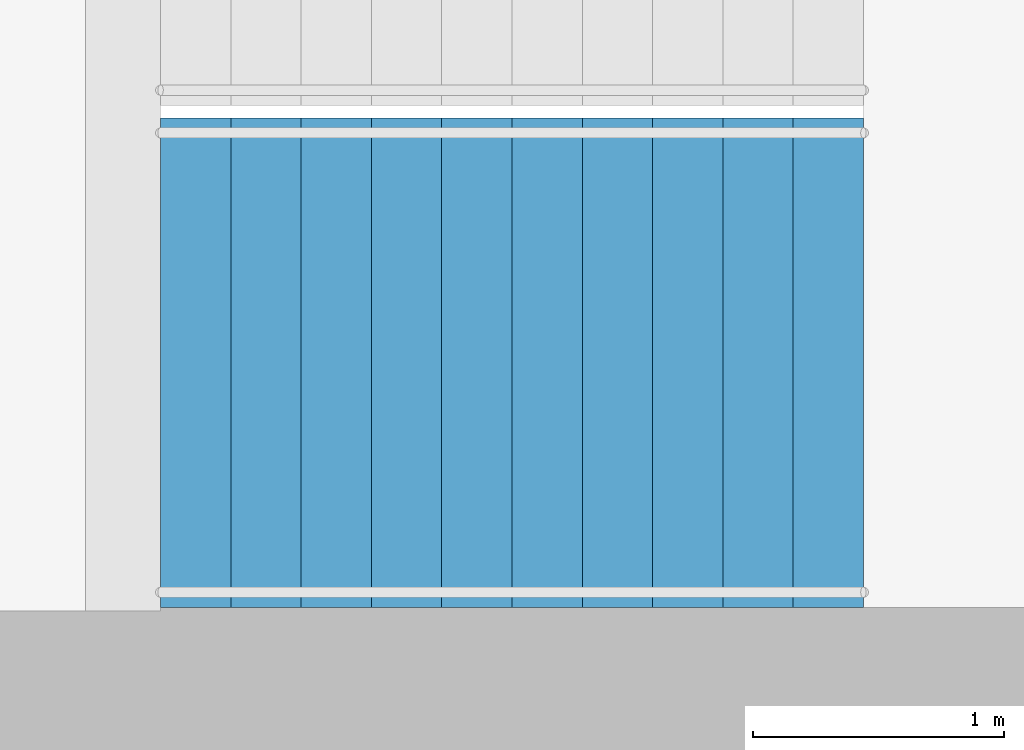
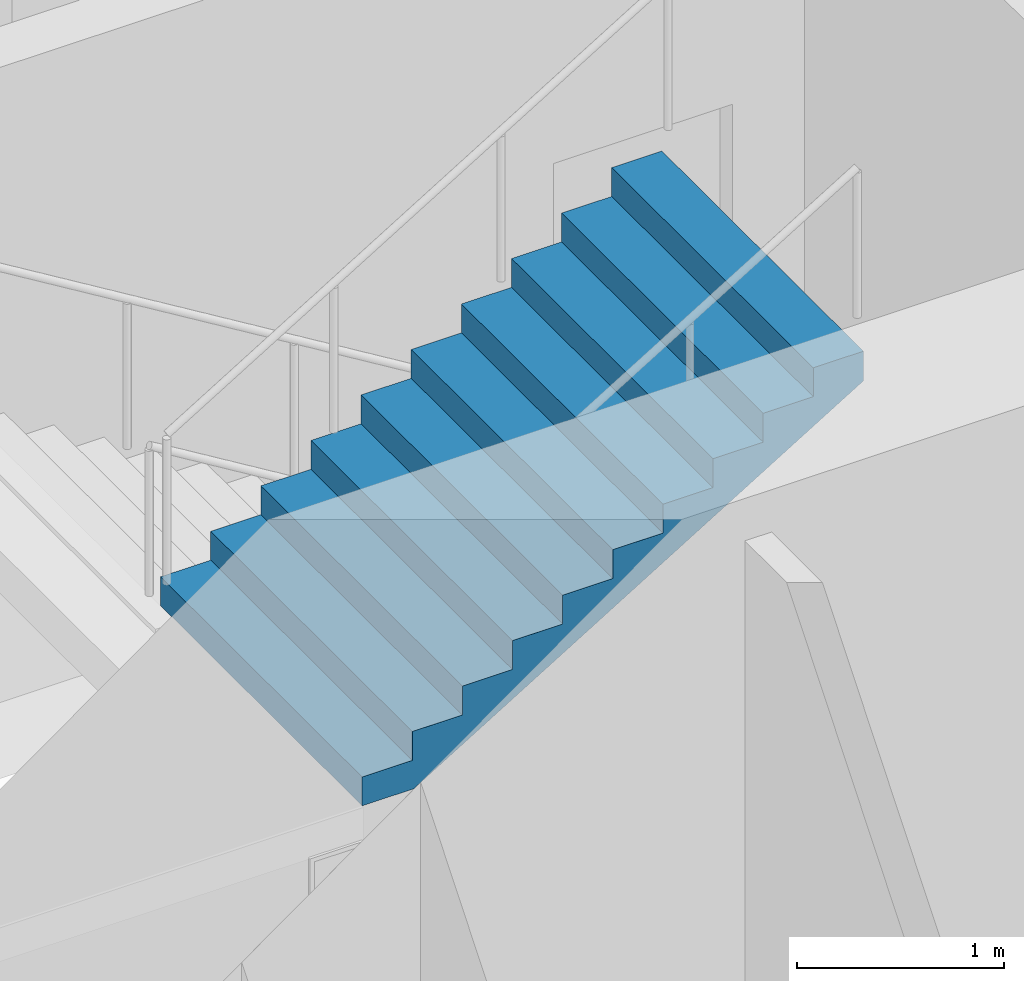
# One storey, part 24 of 28: 1 stair flight, 1 element without a shape of its own.
"""IFC4 building model written with IfcOpenShell, lengths in metres."""

import ifcopenshell
import ifcopenshell.guid

model = None  # the IFC model being written
_history = None  # IfcOwnerHistory: only IFC2X3 demands one
_inside = {}  # id of a spatial element -> (the spatial element, [elements in it])
_under = {}  # id of a project, library or spatial element -> (it, [spatial elements below it])
_declared = {}  # id of a project -> (the project, [libraries it declares])
_typed = {}  # id of a type object -> (the type object, [elements of that type])
_made_of = {}  # id of a material, layer set ... -> (it, [elements and type objects made of it])


def new_model(schema):
    """Start an empty IFC model of exactly this schema.

    Asked for "IFC4X3", IfcOpenShell would pick the latest addendum, in which some entities
    have other attributes; the version numbers below select the first issue.
    IFC2X3 requires an IfcOwnerHistory on every rooted entity: one is made here for all.
    """
    global model, _history
    if schema == "IFC4X3":
        model = ifcopenshell.file(schema_version=(4, 3, 0, 0))
    else:
        model = ifcopenshell.file(schema=schema)
    _inside.clear()
    _under.clear()
    _declared.clear()
    _typed.clear()
    _made_of.clear()
    _history = None
    if model.schema == "IFC2X3":
        org = make("IfcOrganization", Name="unknown")
        user = make(
            "IfcPersonAndOrganization",
            ThePerson=make("IfcPerson", FamilyName="unknown"),
            TheOrganization=org,
        )
        app = make(
            "IfcApplication",
            ApplicationDeveloper=org,
            Version="unknown",
            ApplicationFullName="unknown",
            ApplicationIdentifier="unknown",
        )
        _history = make(
            "IfcOwnerHistory",
            OwningUser=user,
            OwningApplication=app,
            ChangeAction="ADDED",
            CreationDate=0,
        )
    return model


def make(cls, **values):
    """One entity of the class cls with the attributes given. An attribute that is None is left unset."""
    return model.create_entity(
        cls, **{name: value for name, value in values.items() if value is not None}
    )


def rooted(cls, **values):
    """An entity with a GlobalId (a new one), such as an element, a storey or a relation."""
    return make(cls, GlobalId=ifcopenshell.guid.new(), OwnerHistory=_history, **values)


def si_unit(unit_type, name, prefix=None):
    """IfcSIUnit, for example si_unit("LENGTHUNIT", "METRE", prefix="MILLI")."""
    return make("IfcSIUnit", UnitType=unit_type, Prefix=prefix, Name=name)


def assignment(units):
    """IfcUnitAssignment: the units of a project."""
    return None if units is None else make("IfcUnitAssignment", Units=units)


def point(xyz):
    """IfcCartesianPoint."""
    return None if xyz is None else make("IfcCartesianPoint", Coordinates=xyz)


def direction(xyz):
    """IfcDirection."""
    return None if xyz is None else make("IfcDirection", DirectionRatios=xyz)


def frame(location, z_axis=None, x_axis=None):
    """IfcAxis2Placement3D, a coordinate frame: its origin and axes. An axis left out is left unset."""
    return make(
        "IfcAxis2Placement3D",
        Location=point(location),
        Axis=direction(z_axis),
        RefDirection=direction(x_axis),
    )


def origin():
    """The frame at (0, 0, 0) with its axes left unset."""
    return frame((0.0, 0.0, 0.0))


def place(relative_to, where):
    """IfcLocalPlacement: puts the frame where relative to a parent placement (None: the world)."""
    return make(
        "IfcLocalPlacement", PlacementRelTo=relative_to, RelativePlacement=where
    )


def context(
    kind, dimensions, precision=None, world=None, true_north=None, identifier=None
):
    """IfcGeometricRepresentationContext, for example the 3D "Model" context."""
    return make(
        "IfcGeometricRepresentationContext",
        ContextIdentifier=identifier,
        ContextType=kind,
        CoordinateSpaceDimension=dimensions,
        Precision=precision,
        WorldCoordinateSystem=world,
        TrueNorth=true_north,
    )


def subcontext(parent, identifier, kind, view, scale=None):
    """IfcGeometricRepresentationSubContext, for example "Body" below "Model"."""
    return make(
        "IfcGeometricRepresentationSubContext",
        ContextIdentifier=identifier,
        ContextType=kind,
        ParentContext=parent,
        TargetScale=scale,
        TargetView=view,
    )


def project(units=None, contexts=None):
    """IfcProject with its units and contexts."""
    return rooted(
        "IfcProject",
        Name="project",
        RepresentationContexts=contexts,
        UnitsInContext=assignment(units),
    )


def spatial(cls, under=None, at=None, **own):
    """A site, building, storey or space (cls), placed at a placement, below another one or the project."""
    s = rooted(cls, ObjectPlacement=at, **own)
    if under is not None:
        _under.setdefault(under.id(), (under, []))[1].append(s)
    return s


def point_list(points):
    """IfcCartesianPointList2D or 3D."""
    cls = (
        "IfcCartesianPointList2D" if len(points[0]) == 2 else "IfcCartesianPointList3D"
    )
    return make(cls, CoordList=points)


def triangles(points, corners, closed=None, point_numbers=None):
    """IfcTriangulatedFaceSet: each triangle names its three corners, points numbered from 1."""
    return make(
        "IfcTriangulatedFaceSet",
        Coordinates=point_list(points),
        Closed=closed,
        CoordIndex=corners,
        PnIndex=point_numbers,
    )


def shape(context_of_items, identifier, shape_type, items):
    """IfcShapeRepresentation: the items that make up one representation, for example the "Body"."""
    return make(
        "IfcShapeRepresentation",
        ContextOfItems=context_of_items,
        RepresentationIdentifier=identifier,
        RepresentationType=shape_type,
        Items=items,
    )


def material(Name=None, Category=None):
    """IfcMaterial."""
    return make("IfcMaterial", Name=Name, Category=Category)


def made_of(thing, what):
    """Note that an element or type object is made of a material, layer set ...; save() writes the relation."""
    if what is not None:
        _made_of.setdefault(what.id(), (what, []))[1].append(thing)
    return thing


def type_object(cls, material=None, **own):
    """A type object (cls), such as IfcWallType, which elements share."""
    return made_of(rooted(cls, **own), material)


def element(
    cls,
    number,
    at=None,
    inside=None,
    cuts=None,
    type_object=None,
    material=None,
    context=None,
    identifier="Body",
    shape_type=None,
    held_by="IfcProductDefinitionShape",
    body=None,
    shapes=None,
    **own,
):
    """One element of the class cls, such as IfcWall. Its Tag is "e" and its number.

    at: its placement. inside: the storey or other place that contains it. cuts: it is an
    opening in that element (IfcRelVoidsElement). A single representation is given by context,
    identifier, shape_type and body (its items); several are given by shapes. held_by: the class
    of the entity that holds the representations. save() writes the other relations.
    """
    e = rooted(cls, Tag="e%d" % number, ObjectPlacement=at, **own)
    if body is not None:
        shapes = [shape(context, identifier, shape_type, body)]
    if shapes is not None:
        e.Representation = make(held_by, Representations=shapes)
    if inside is not None:
        _inside.setdefault(inside.id(), (inside, []))[1].append(e)
    if cuts is not None:
        rooted(
            "IfcRelVoidsElement", RelatingBuildingElement=cuts, RelatedOpeningElement=e
        )
    if type_object is not None:
        _typed.setdefault(type_object.id(), (type_object, []))[1].append(e)
    return made_of(e, material)


def aggregate(whole, parts):
    """IfcRelAggregates: a whole, such as a stair, and the parts it consists of."""
    return rooted("IfcRelAggregates", RelatingObject=whole, RelatedObjects=parts)


def save(model, path):
    """Write the relations noted so far, then the file.

    IfcRelAggregates (storeys below a building ...), IfcRelContainedInSpatialStructure (elements
    in a storey), IfcRelDefinesByType, IfcRelAssociatesMaterial and IfcRelDeclares: one each for
    every whole, place, type object, material and project.
    """
    for whole, parts in _under.values():
        aggregate(whole, parts)
    for where, things in _inside.values():
        rooted(
            "IfcRelContainedInSpatialStructure",
            RelatedElements=things,
            RelatingStructure=where,
        )
    for kind, things in _typed.values():
        rooted("IfcRelDefinesByType", RelatedObjects=things, RelatingType=kind)
    for what, things in _made_of.values():
        rooted("IfcRelAssociatesMaterial", RelatedObjects=things, RelatingMaterial=what)
    for by, libraries in _declared.values():
        rooted("IfcRelDeclares", RelatingContext=by, RelatedDefinitions=libraries)
    model.write(path)


model = new_model("IFC4")

# Units and contexts
model_context = context("Model", 3, precision=1e-05, world=origin(), true_north=direction((0.0, 1.0)))
body_context = subcontext(model_context, "Body", "Model", "MODEL_VIEW")
ifc_project = project(units=[si_unit("LENGTHUNIT", "METRE"), si_unit("AREAUNIT", "SQUARE_METRE"), si_unit("VOLUMEUNIT", "CUBIC_METRE"), si_unit("PLANEANGLEUNIT", "RADIAN"), si_unit("MASSUNIT", "GRAM", prefix="KILO")], contexts=[model_context])

# Site, building, storey
site_placement = place(None, origin())
site = spatial("IfcSite", under=ifc_project, at=site_placement, CompositionType="ELEMENT")
building_placement = place(site_placement, origin())
building = spatial("IfcBuilding", under=site, at=building_placement, Name="Orbita Commons", CompositionType="ELEMENT")
storey_placement = place(building_placement, frame((0.0, 0.0, 38.949951171875)))
storey = spatial("IfcBuildingStorey", under=building, at=storey_placement, Name="L09", CompositionType="ELEMENT", Elevation=38.949951171875)

# Stair, stair flight
ifc_material_1 = material(Name="Precast concrete C40/50", Category="concrete")
stair_type = type_object("IfcStairType", Name="Exit stair S2 2 flights 11 risers 170", PredefinedType="HALF_TURN_STAIR", material=ifc_material_1)
stair_placement = place(storey_placement, origin())
stair = element("IfcStair", 1, at=stair_placement, inside=storey, type_object=stair_type, Name="Exit stair S2 L09", PredefinedType="HALF_TURN_STAIR")
ifc_material_2 = material(Name="Precast concrete C40/50", Category="concrete")
stair_flight_type = type_object("IfcStairFlightType", Name="Stair flight 11 risers 170 x 280", PredefinedType="STRAIGHT", material=ifc_material_2)
stair_flight_placement = place(storey_placement, frame((60.75, 27.27490234375, 1.875), z_axis=(0.0, 0.0, 1.0), x_axis=(1.0, 0.0, 0.0)))
stair_flight = element("IfcStairFlight", 2, at=stair_flight_placement, type_object=stair_flight_type, Name="S2 flight 2", NumberOfRisers=11, NumberOfTreads=10, PredefinedType="STRAIGHT", RiserHeight=0.170454545, TreadLength=0.28, context=body_context, shape_type="Tessellation", body=[
    triangles([(0.0, 0.974976, 0.0), (0.0, 0.974976, 0.021307), (0.0, 0.81248, 0.021307), (0.0, 0.81248, 0.0), (0.0, 0.649984, 0.021307), (0.0, 0.649984, 0.0), (0.0, 0.487488, 0.021307), (0.0, 0.487488, 0.0), (0.0, 0.324992, 0.021307), (0.0, 0.324992, 0.0), (0.0, 0.162496, 0.021307), (0.0, 0.162496, 0.0), (0.0, 0.0, 0.021307), (0.0, 0.0, 0.0), (0.0, -0.162496, 0.021307), (0.0, -0.162496, 0.0), (0.0, -0.324992, 0.021307), (0.0, -0.324992, 0.0), (0.0, -0.487488, 0.021307), (0.0, -0.487488, 0.0), (0.0, -0.649984, 0.021307), (0.0, -0.649984, 0.0), (0.0, -0.81248, 0.021307), (0.0, -0.81248, 0.0), (0.0, -0.974976, 0.021307), (0.0, -0.974976, 0.0), (0.0, 0.974976, 0.042614), (0.0, 0.81248, 0.042614), (0.0, 0.649984, 0.042614), (0.0, 0.487488, 0.042614), (0.0, 0.324992, 0.042614), (0.0, 0.162496, 0.042614), (0.0, 0.0, 0.042614), (0.0, -0.162496, 0.042614), (0.0, -0.324992, 0.042614), (0.0, -0.487488, 0.042614), (0.0, -0.649984, 0.042614), (0.0, -0.81248, 0.042614), (0.0, -0.974976, 0.042614), (0.0, 0.974976, 0.06392), (0.0, 0.81248, 0.06392), (0.0, 0.649984, 0.06392), (0.0, 0.487488, 0.06392), (0.0, 0.324992, 0.06392), (0.0, 0.162496, 0.06392), (0.0, 0.0, 0.06392), (0.0, -0.162496, 0.06392), (0.0, -0.324992, 0.06392), (0.0, -0.487488, 0.06392), (0.0, -0.649984, 0.06392), (0.0, -0.81248, 0.06392), (0.0, -0.974976, 0.06392), (0.0, 0.974976, 0.085227), (0.0, 0.81248, 0.085227), (0.0, 0.649984, 0.085227), (0.0, 0.487488, 0.085227), (0.0, 0.324992, 0.085227), (0.0, 0.162496, 0.085227), (0.0, 0.0, 0.085227), (0.0, -0.162496, 0.085227), (0.0, -0.324992, 0.085227), (0.0, -0.487488, 0.085227), (0.0, -0.649984, 0.085227), (0.0, -0.81248, 0.085227), (0.0, -0.974976, 0.085227), (0.0, 0.974976, 0.106534), (0.0, 0.81248, 0.106534), (0.0, 0.649984, 0.106534), (0.0, 0.487488, 0.106534), (0.0, 0.324992, 0.106534), (0.0, 0.162496, 0.106534), (0.0, 0.0, 0.106534), (0.0, -0.162496, 0.106534), (0.0, -0.324992, 0.106534), (0.0, -0.487488, 0.106534), (0.0, -0.649984, 0.106534), (0.0, -0.81248, 0.106534), (0.0, -0.974976, 0.106534), (0.0, 0.974976, 0.127841), (0.0, 0.81248, 0.127841), (0.0, 0.649984, 0.127841), (0.0, 0.487488, 0.127841), (0.0, 0.324992, 0.127841), (0.0, 0.162496, 0.127841), (0.0, 0.0, 0.127841), (0.0, -0.162496, 0.127841), (0.0, -0.324992, 0.127841), (0.0, -0.487488, 0.127841), (0.0, -0.649984, 0.127841), (0.0, -0.81248, 0.127841), (0.0, -0.974976, 0.127841), (0.0, 0.974976, 0.149148), (0.0, 0.81248, 0.149148), (0.0, 0.649984, 0.149148), (0.0, 0.487488, 0.149148), (0.0, 0.324992, 0.149148), (0.0, 0.162496, 0.149148), (0.0, 0.0, 0.149148), (0.0, -0.162496, 0.149148), (0.0, -0.324992, 0.149148), (0.0, -0.487488, 0.149148), (0.0, -0.649984, 0.149148), (0.0, -0.81248, 0.149148), (0.0, -0.974976, 0.149148), (0.0, 0.974976, 0.170455), (0.0, 0.81248, 0.170455), (0.0, 0.649984, 0.170455), (0.0, 0.487488, 0.170455), (0.0, 0.324992, 0.170455), (0.0, 0.162496, 0.170455), (0.0, 0.0, 0.170455), (0.0, -0.162496, 0.170455), (0.0, -0.324992, 0.170455), (0.0, -0.487488, 0.170455), (0.0, -0.649984, 0.170455), (0.0, -0.81248, 0.170455), (0.0, -0.974976, 0.170455), (0.28, 0.974976, 0.170455), (0.28, 0.81248, 0.170455), (0.28, 0.649984, 0.170455), (0.28, 0.487488, 0.170455), (0.28, 0.324992, 0.170455), (0.28, 0.162496, 0.170455), (0.28, 0.0, 0.170455), (0.28, -0.162496, 0.170455), (0.28, -0.324992, 0.170455), (0.28, -0.487488, 0.170455), (0.28, -0.649984, 0.170455), (0.28, -0.81248, 0.170455), (0.28, -0.974976, 0.170455), (0.28, 0.974976, 0.340909), (0.28, 0.81248, 0.340909), (0.28, 0.649984, 0.340909), (0.28, 0.487488, 0.340909), (0.28, 0.324992, 0.340909), (0.28, 0.162496, 0.340909), (0.28, 0.0, 0.340909), (0.28, -0.162496, 0.340909), (0.28, -0.324992, 0.340909), (0.28, -0.487488, 0.340909), (0.28, -0.649984, 0.340909), (0.28, -0.81248, 0.340909), (0.28, -0.974976, 0.340909), (0.56, 0.974976, 0.340909), (0.56, 0.81248, 0.340909), (0.56, 0.649984, 0.340909), (0.56, 0.487488, 0.340909), (0.56, 0.324992, 0.340909), (0.56, 0.162496, 0.340909), (0.56, 0.0, 0.340909), (0.56, -0.162496, 0.340909), (0.56, -0.324992, 0.340909), (0.56, -0.487488, 0.340909), (0.56, -0.649984, 0.340909), (0.56, -0.81248, 0.340909), (0.56, -0.974976, 0.340909), (0.56, 0.974976, 0.511364), (0.56, 0.81248, 0.511364), (0.56, 0.649984, 0.511364), (0.56, 0.487488, 0.511364), (0.56, 0.324992, 0.511364), (0.56, 0.162496, 0.511364), (0.56, 0.0, 0.511364), (0.56, -0.162496, 0.511364), (0.56, -0.324992, 0.511364), (0.56, -0.487488, 0.511364), (0.56, -0.649984, 0.511364), (0.56, -0.81248, 0.511364), (0.56, -0.974976, 0.511364), (0.84, 0.974976, 0.511364), (0.84, 0.81248, 0.511364), (0.84, 0.649984, 0.511364), (0.84, 0.487488, 0.511364), (0.84, 0.324992, 0.511364), (0.84, 0.162496, 0.511364), (0.84, 0.0, 0.511364), (0.84, -0.162496, 0.511364), (0.84, -0.324992, 0.511364), (0.84, -0.487488, 0.511364), (0.84, -0.649984, 0.511364), (0.84, -0.81248, 0.511364), (0.84, -0.974976, 0.511364), (0.84, 0.974976, 0.681818), (0.84, 0.81248, 0.681818), (0.84, 0.649984, 0.681818), (0.84, 0.487488, 0.681818), (0.84, 0.324992, 0.681818), (0.84, 0.162496, 0.681818), (0.84, 0.0, 0.681818), (0.84, -0.162496, 0.681818), (0.84, -0.324992, 0.681818), (0.84, -0.487488, 0.681818), (0.84, -0.649984, 0.681818), (0.84, -0.81248, 0.681818), (0.84, -0.974976, 0.681818), (1.12, 0.974976, 0.681818), (1.12, 0.81248, 0.681818), (1.12, 0.649984, 0.681818), (1.12, 0.487488, 0.681818), (1.12, 0.324992, 0.681818), (1.12, 0.162496, 0.681818), (1.12, 0.0, 0.681818), (1.12, -0.162496, 0.681818), (1.12, -0.324992, 0.681818), (1.12, -0.487488, 0.681818), (1.12, -0.649984, 0.681818), (1.12, -0.81248, 0.681818), (1.12, -0.974976, 0.681818), (1.12, 0.974976, 0.852273), (1.12, 0.81248, 0.852273), (1.12, 0.649984, 0.852273), (1.12, 0.487488, 0.852273), (1.12, 0.324992, 0.852273), (1.12, 0.162496, 0.852273), (1.12, 0.0, 0.852273), (1.12, -0.162496, 0.852273), (1.12, -0.324992, 0.852273), (1.12, -0.487488, 0.852273), (1.12, -0.649984, 0.852273), (1.12, -0.81248, 0.852273), (1.12, -0.974976, 0.852273), (1.4, 0.974976, 0.852273), (1.4, 0.81248, 0.852273), (1.4, 0.649984, 0.852273), (1.4, 0.487488, 0.852273), (1.4, 0.324992, 0.852273), (1.4, 0.162496, 0.852273), (1.4, 0.0, 0.852273), (1.4, -0.162496, 0.852273), (1.4, -0.324992, 0.852273), (1.4, -0.487488, 0.852273), (1.4, -0.649984, 0.852273), (1.4, -0.81248, 0.852273), (1.4, -0.974976, 0.852273), (1.4, 0.974976, 1.022727), (1.4, 0.81248, 1.022727), (1.4, 0.649984, 1.022727), (1.4, 0.487488, 1.022727), (1.4, 0.324992, 1.022727), (1.4, 0.162496, 1.022727), (1.4, 0.0, 1.022727), (1.4, -0.162496, 1.022727), (1.4, -0.324992, 1.022727), (1.4, -0.487488, 1.022727), (1.4, -0.649984, 1.022727), (1.4, -0.81248, 1.022727), (1.4, -0.974976, 1.022727), (1.68, 0.974976, 1.022727), (1.68, 0.81248, 1.022727), (1.68, 0.649984, 1.022727), (1.68, 0.487488, 1.022727), (1.68, 0.324992, 1.022727), (1.68, 0.162496, 1.022727), (1.68, 0.0, 1.022727), (1.68, -0.162496, 1.022727), (1.68, -0.324992, 1.022727), (1.68, -0.487488, 1.022727), (1.68, -0.649984, 1.022727), (1.68, -0.81248, 1.022727), (1.68, -0.974976, 1.022727), (1.68, 0.974976, 1.193182), (1.68, 0.81248, 1.193182), (1.68, 0.649984, 1.193182), (1.68, 0.487488, 1.193182), (1.68, 0.324992, 1.193182), (1.68, 0.162496, 1.193182), (1.68, 0.0, 1.193182), (1.68, -0.162496, 1.193182), (1.68, -0.324992, 1.193182), (1.68, -0.487488, 1.193182), (1.68, -0.649984, 1.193182), (1.68, -0.81248, 1.193182), (1.68, -0.974976, 1.193182), (1.96, 0.974976, 1.193182), (1.96, 0.81248, 1.193182), (1.96, 0.649984, 1.193182), (1.96, 0.487488, 1.193182), (1.96, 0.324992, 1.193182), (1.96, 0.162496, 1.193182), (1.96, 0.0, 1.193182), (1.96, -0.162496, 1.193182), (1.96, -0.324992, 1.193182), (1.96, -0.487488, 1.193182), (1.96, -0.649984, 1.193182), (1.96, -0.81248, 1.193182), (1.96, -0.974976, 1.193182), (1.96, 0.974976, 1.363636), (1.96, 0.81248, 1.363636), (1.96, 0.649984, 1.363636), (1.96, 0.487488, 1.363636), (1.96, 0.324992, 1.363636), (1.96, 0.162496, 1.363636), (1.96, 0.0, 1.363636), (1.96, -0.162496, 1.363636), (1.96, -0.324992, 1.363636), (1.96, -0.487488, 1.363636), (1.96, -0.649984, 1.363636), (1.96, -0.81248, 1.363636), (1.96, -0.974976, 1.363636), (2.24, 0.974976, 1.363636), (2.24, 0.81248, 1.363636), (2.24, 0.649984, 1.363636), (2.24, 0.487488, 1.363636), (2.24, 0.324992, 1.363636), (2.24, 0.162496, 1.363636), (2.24, 0.0, 1.363636), (2.24, -0.162496, 1.363636), (2.24, -0.324992, 1.363636), (2.24, -0.487488, 1.363636), (2.24, -0.649984, 1.363636), (2.24, -0.81248, 1.363636), (2.24, -0.974976, 1.363636), (2.24, 0.974976, 1.534091), (2.24, 0.81248, 1.534091), (2.24, 0.649984, 1.534091), (2.24, 0.487488, 1.534091), (2.24, 0.324992, 1.534091), (2.24, 0.162496, 1.534091), (2.24, 0.0, 1.534091), (2.24, -0.162496, 1.534091), (2.24, -0.324992, 1.534091), (2.24, -0.487488, 1.534091), (2.24, -0.649984, 1.534091), (2.24, -0.81248, 1.534091), (2.24, -0.974976, 1.534091), (2.52, 0.974976, 1.534091), (2.52, 0.81248, 1.534091), (2.52, 0.649984, 1.534091), (2.52, 0.487488, 1.534091), (2.52, 0.324992, 1.534091), (2.52, 0.162496, 1.534091), (2.52, 0.0, 1.534091), (2.52, -0.162496, 1.534091), (2.52, -0.324992, 1.534091), (2.52, -0.487488, 1.534091), (2.52, -0.649984, 1.534091), (2.52, -0.81248, 1.534091), (2.52, -0.974976, 1.534091), (2.52, 0.974976, 1.704545), (2.52, 0.81248, 1.704545), (2.52, 0.649984, 1.704545), (2.52, 0.487488, 1.704545), (2.52, 0.324992, 1.704545), (2.52, 0.162496, 1.704545), (2.52, 0.0, 1.704545), (2.52, -0.162496, 1.704545), (2.52, -0.324992, 1.704545), (2.52, -0.487488, 1.704545), (2.52, -0.649984, 1.704545), (2.52, -0.81248, 1.704545), (2.52, -0.974976, 1.704545), (2.8, 0.974976, 1.704545), (2.8, 0.81248, 1.704545), (2.8, 0.649984, 1.704545), (2.8, 0.487488, 1.704545), (2.8, 0.324992, 1.704545), (2.8, 0.162496, 1.704545), (2.8, 0.0, 1.704545), (2.8, -0.162496, 1.704545), (2.8, -0.324992, 1.704545), (2.8, -0.487488, 1.704545), (2.8, -0.649984, 1.704545), (2.8, -0.81248, 1.704545), (2.8, -0.974976, 1.704545), (2.8, 0.974976, 1.682609), (2.8, 0.81248, 1.682609), (2.8, 0.649984, 1.682609), (2.8, 0.487488, 1.682609), (2.8, 0.324992, 1.682609), (2.8, 0.162496, 1.682609), (2.8, 0.0, 1.682609), (2.8, -0.162496, 1.682609), (2.8, -0.324992, 1.682609), (2.8, -0.487488, 1.682609), (2.8, -0.649984, 1.682609), (2.8, -0.81248, 1.682609), (2.8, -0.974976, 1.682609), (2.8, 0.974976, 1.660672), (2.8, 0.81248, 1.660672), (2.8, 0.649984, 1.660672), (2.8, 0.487488, 1.660672), (2.8, 0.324992, 1.660672), (2.8, 0.162496, 1.660672), (2.8, 0.0, 1.660672), (2.8, -0.162496, 1.660672), (2.8, -0.324992, 1.660672), (2.8, -0.487488, 1.660672), (2.8, -0.649984, 1.660672), (2.8, -0.81248, 1.660672), (2.8, -0.974976, 1.660672), (2.8, 0.974976, 1.638735), (2.8, 0.81248, 1.638735), (2.8, 0.649984, 1.638735), (2.8, 0.487488, 1.638735), (2.8, 0.324992, 1.638735), (2.8, 0.162496, 1.638735), (2.8, 0.0, 1.638735), (2.8, -0.162496, 1.638735), (2.8, -0.324992, 1.638735), (2.8, -0.487488, 1.638735), (2.8, -0.649984, 1.638735), (2.8, -0.81248, 1.638735), (2.8, -0.974976, 1.638735), (2.8, 0.974976, 1.616798), (2.8, 0.81248, 1.616798), (2.8, 0.649984, 1.616798), (2.8, 0.487488, 1.616798), (2.8, 0.324992, 1.616798), (2.8, 0.162496, 1.616798), (2.8, 0.0, 1.616798), (2.8, -0.162496, 1.616798), (2.8, -0.324992, 1.616798), (2.8, -0.487488, 1.616798), (2.8, -0.649984, 1.616798), (2.8, -0.81248, 1.616798), (2.8, -0.974976, 1.616798), (2.8, 0.974976, 1.594861), (2.8, 0.81248, 1.594861), (2.8, 0.649984, 1.594861), (2.8, 0.487488, 1.594861), (2.8, 0.324992, 1.594861), (2.8, 0.162496, 1.594861), (2.8, 0.0, 1.594861), (2.8, -0.162496, 1.594861), (2.8, -0.324992, 1.594861), (2.8, -0.487488, 1.594861), (2.8, -0.649984, 1.594861), (2.8, -0.81248, 1.594861), (2.8, -0.974976, 1.594861), (2.8, 0.974976, 1.572925), (2.8, 0.81248, 1.572925), (2.8, 0.649984, 1.572925), (2.8, 0.487488, 1.572925), (2.8, 0.324992, 1.572925), (2.8, 0.162496, 1.572925), (2.8, 0.0, 1.572925), (2.8, -0.162496, 1.572925), (2.8, -0.324992, 1.572925), (2.8, -0.487488, 1.572925), (2.8, -0.649984, 1.572925), (2.8, -0.81248, 1.572925), (2.8, -0.974976, 1.572925), (2.8, 0.974976, 1.550988), (2.8, 0.81248, 1.550988), (2.8, 0.649984, 1.550988), (2.8, 0.487488, 1.550988), (2.8, 0.324992, 1.550988), (2.8, 0.162496, 1.550988), (2.8, 0.0, 1.550988), (2.8, -0.162496, 1.550988), (2.8, -0.324992, 1.550988), (2.8, -0.487488, 1.550988), (2.8, -0.649984, 1.550988), (2.8, -0.81248, 1.550988), (2.8, -0.974976, 1.550988), (2.8, 0.974976, 1.529051), (2.8, 0.81248, 1.529051), (2.8, 0.649984, 1.529051), (2.8, 0.487488, 1.529051), (2.8, 0.324992, 1.529051), (2.8, 0.162496, 1.529051), (2.8, 0.0, 1.529051), (2.8, -0.162496, 1.529051), (2.8, -0.324992, 1.529051), (2.8, -0.487488, 1.529051), (2.8, -0.649984, 1.529051), (2.8, -0.81248, 1.529051), (2.8, -0.974976, 1.529051), (0.288279, 0.974976, 0.0), (0.288279, 0.81248, 0.0), (0.288279, 0.649984, 0.0), (0.288279, 0.487488, 0.0), (0.288279, 0.324992, 0.0), (0.288279, 0.162496, 0.0), (0.288279, 0.0, 0.0), (0.288279, -0.162496, 0.0), (0.288279, -0.324992, 0.0), (0.288279, -0.487488, 0.0), (0.288279, -0.649984, 0.0), (0.288279, -0.81248, 0.0), (0.288279, -0.974976, 0.0)], [[3, 2, 1], [4, 3, 1], [5, 3, 4], [6, 5, 4], [7, 5, 6], [8, 7, 6], [9, 7, 8], [10, 9, 8], [11, 9, 10], [12, 11, 10], [13, 11, 12], [14, 13, 12], [15, 13, 14], [16, 15, 14], [17, 15, 16], [18, 17, 16], [19, 17, 18], [20, 19, 18], [21, 19, 20], [22, 21, 20], [23, 21, 22], [24, 23, 22], [25, 23, 24], [26, 25, 24], [28, 27, 2], [3, 28, 2], [29, 28, 3], [5, 29, 3], [30, 29, 5], [7, 30, 5], [31, 30, 7], [9, 31, 7], [32, 31, 9], [11, 32, 9], [33, 32, 11], [13, 33, 11], [34, 33, 13], [15, 34, 13], [35, 34, 15], [17, 35, 15], [36, 35, 17], [19, 36, 17], [37, 36, 19], [21, 37, 19], [38, 37, 21], [23, 38, 21], [39, 38, 23], [25, 39, 23], [41, 40, 27], [28, 41, 27], [42, 41, 28], [29, 42, 28], [43, 42, 29], [30, 43, 29], [44, 43, 30], [31, 44, 30], [45, 44, 31], [32, 45, 31], [46, 45, 32], [33, 46, 32], [47, 46, 33], [34, 47, 33], [48, 47, 34], [35, 48, 34], [49, 48, 35], [36, 49, 35], [50, 49, 36], [37, 50, 36], [51, 50, 37], [38, 51, 37], [52, 51, 38], [39, 52, 38], [54, 53, 40], [41, 54, 40], [55, 54, 41], [42, 55, 41], [56, 55, 42], [43, 56, 42], [57, 56, 43], [44, 57, 43], [58, 57, 44], [45, 58, 44], [59, 58, 45], [46, 59, 45], [60, 59, 46], [47, 60, 46], [61, 60, 47], [48, 61, 47], [62, 61, 48], [49, 62, 48], [63, 62, 49], [50, 63, 49], [64, 63, 50], [51, 64, 50], [65, 64, 51], [52, 65, 51], [67, 66, 53], [54, 67, 53], [68, 67, 54], [55, 68, 54], [69, 68, 55], [56, 69, 55], [70, 69, 56], [57, 70, 56], [71, 70, 57], [58, 71, 57], [72, 71, 58], [59, 72, 58], [73, 72, 59], [60, 73, 59], [74, 73, 60], [61, 74, 60], [75, 74, 61], [62, 75, 61], [76, 75, 62], [63, 76, 62], [77, 76, 63], [64, 77, 63], [78, 77, 64], [65, 78, 64], [80, 79, 66], [67, 80, 66], [81, 80, 67], [68, 81, 67], [82, 81, 68], [69, 82, 68], [83, 82, 69], [70, 83, 69], [84, 83, 70], [71, 84, 70], [85, 84, 71], [72, 85, 71], [86, 85, 72], [73, 86, 72], [87, 86, 73], [74, 87, 73], [88, 87, 74], [75, 88, 74], [89, 88, 75], [76, 89, 75], [90, 89, 76], [77, 90, 76], [91, 90, 77], [78, 91, 77], [93, 92, 79], [80, 93, 79], [94, 93, 80], [81, 94, 80], [95, 94, 81], [82, 95, 81], [96, 95, 82], [83, 96, 82], [97, 96, 83], [84, 97, 83], [98, 97, 84], [85, 98, 84], [99, 98, 85], [86, 99, 85], [100, 99, 86], [87, 100, 86], [101, 100, 87], [88, 101, 87], [102, 101, 88], [89, 102, 88], [103, 102, 89], [90, 103, 89], [104, 103, 90], [91, 104, 90], [106, 105, 92], [93, 106, 92], [107, 106, 93], [94, 107, 93], [108, 107, 94], [95, 108, 94], [109, 108, 95], [96, 109, 95], [110, 109, 96], [97, 110, 96], [111, 110, 97], [98, 111, 97], [112, 111, 98], [99, 112, 98], [113, 112, 99], [100, 113, 99], [114, 113, 100], [101, 114, 100], [115, 114, 101], [102, 115, 101], [116, 115, 102], [103, 116, 102], [117, 116, 103], [104, 117, 103], [119, 118, 105], [106, 119, 105], [120, 119, 106], [107, 120, 106], [121, 120, 107], [108, 121, 107], [122, 121, 108], [109, 122, 108], [123, 122, 109], [110, 123, 109], [124, 123, 110], [111, 124, 110], [125, 124, 111], [112, 125, 111], [126, 125, 112], [113, 126, 112], [127, 126, 113], [114, 127, 113], [128, 127, 114], [115, 128, 114], [129, 128, 115], [116, 129, 115], [130, 129, 116], [117, 130, 116], [132, 131, 118], [119, 132, 118], [133, 132, 119], [120, 133, 119], [134, 133, 120], [121, 134, 120], [135, 134, 121], [122, 135, 121], [136, 135, 122], [123, 136, 122], [137, 136, 123], [124, 137, 123], [138, 137, 124], [125, 138, 124], [139, 138, 125], [126, 139, 125], [140, 139, 126], [127, 140, 126], [141, 140, 127], [128, 141, 127], [142, 141, 128], [129, 142, 128], [143, 142, 129], [130, 143, 129], [145, 144, 131], [132, 145, 131], [146, 145, 132], [133, 146, 132], [147, 146, 133], [134, 147, 133], [148, 147, 134], [135, 148, 134], [149, 148, 135], [136, 149, 135], [150, 149, 136], [137, 150, 136], [151, 150, 137], [138, 151, 137], [152, 151, 138], [139, 152, 138], [153, 152, 139], [140, 153, 139], [154, 153, 140], [141, 154, 140], [155, 154, 141], [142, 155, 141], [156, 155, 142], [143, 156, 142], [158, 157, 144], [145, 158, 144], [159, 158, 145], [146, 159, 145], [160, 159, 146], [147, 160, 146], [161, 160, 147], [148, 161, 147], [162, 161, 148], [149, 162, 148], [163, 162, 149], [150, 163, 149], [164, 163, 150], [151, 164, 150], [165, 164, 151], [152, 165, 151], [166, 165, 152], [153, 166, 152], [167, 166, 153], [154, 167, 153], [168, 167, 154], [155, 168, 154], [169, 168, 155], [156, 169, 155], [171, 170, 157], [158, 171, 157], [172, 171, 158], [159, 172, 158], [173, 172, 159], [160, 173, 159], [174, 173, 160], [161, 174, 160], [175, 174, 161], [162, 175, 161], [176, 175, 162], [163, 176, 162], [177, 176, 163], [164, 177, 163], [178, 177, 164], [165, 178, 164], [179, 178, 165], [166, 179, 165], [180, 179, 166], [167, 180, 166], [181, 180, 167], [168, 181, 167], [182, 181, 168], [169, 182, 168], [184, 183, 170], [171, 184, 170], [185, 184, 171], [172, 185, 171], [186, 185, 172], [173, 186, 172], [187, 186, 173], [174, 187, 173], [188, 187, 174], [175, 188, 174], [189, 188, 175], [176, 189, 175], [190, 189, 176], [177, 190, 176], [191, 190, 177], [178, 191, 177], [192, 191, 178], [179, 192, 178], [193, 192, 179], [180, 193, 179], [194, 193, 180], [181, 194, 180], [195, 194, 181], [182, 195, 181], [197, 196, 183], [184, 197, 183], [198, 197, 184], [185, 198, 184], [199, 198, 185], [186, 199, 185], [200, 199, 186], [187, 200, 186], [201, 200, 187], [188, 201, 187], [202, 201, 188], [189, 202, 188], [203, 202, 189], [190, 203, 189], [204, 203, 190], [191, 204, 190], [205, 204, 191], [192, 205, 191], [206, 205, 192], [193, 206, 192], [207, 206, 193], [194, 207, 193], [208, 207, 194], [195, 208, 194], [210, 209, 196], [197, 210, 196], [211, 210, 197], [198, 211, 197], [212, 211, 198], [199, 212, 198], [213, 212, 199], [200, 213, 199], [214, 213, 200], [201, 214, 200], [215, 214, 201], [202, 215, 201], [216, 215, 202], [203, 216, 202], [217, 216, 203], [204, 217, 203], [218, 217, 204], [205, 218, 204], [219, 218, 205], [206, 219, 205], [220, 219, 206], [207, 220, 206], [221, 220, 207], [208, 221, 207], [223, 222, 209], [210, 223, 209], [224, 223, 210], [211, 224, 210], [225, 224, 211], [212, 225, 211], [226, 225, 212], [213, 226, 212], [227, 226, 213], [214, 227, 213], [228, 227, 214], [215, 228, 214], [229, 228, 215], [216, 229, 215], [230, 229, 216], [217, 230, 216], [231, 230, 217], [218, 231, 217], [232, 231, 218], [219, 232, 218], [233, 232, 219], [220, 233, 219], [234, 233, 220], [221, 234, 220], [236, 235, 222], [223, 236, 222], [237, 236, 223], [224, 237, 223], [238, 237, 224], [225, 238, 224], [239, 238, 225], [226, 239, 225], [240, 239, 226], [227, 240, 226], [241, 240, 227], [228, 241, 227], [242, 241, 228], [229, 242, 228], [243, 242, 229], [230, 243, 229], [244, 243, 230], [231, 244, 230], [245, 244, 231], [232, 245, 231], [246, 245, 232], [233, 246, 232], [247, 246, 233], [234, 247, 233], [249, 248, 235], [236, 249, 235], [250, 249, 236], [237, 250, 236], [251, 250, 237], [238, 251, 237], [252, 251, 238], [239, 252, 238], [253, 252, 239], [240, 253, 239], [254, 253, 240], [241, 254, 240], [255, 254, 241], [242, 255, 241], [256, 255, 242], [243, 256, 242], [257, 256, 243], [244, 257, 243], [258, 257, 244], [245, 258, 244], [259, 258, 245], [246, 259, 245], [260, 259, 246], [247, 260, 246], [262, 261, 248], [249, 262, 248], [263, 262, 249], [250, 263, 249], [264, 263, 250], [251, 264, 250], [265, 264, 251], [252, 265, 251], [266, 265, 252], [253, 266, 252], [267, 266, 253], [254, 267, 253], [268, 267, 254], [255, 268, 254], [269, 268, 255], [256, 269, 255], [270, 269, 256], [257, 270, 256], [271, 270, 257], [258, 271, 257], [272, 271, 258], [259, 272, 258], [273, 272, 259], [260, 273, 259], [275, 274, 261], [262, 275, 261], [276, 275, 262], [263, 276, 262], [277, 276, 263], [264, 277, 263], [278, 277, 264], [265, 278, 264], [279, 278, 265], [266, 279, 265], [280, 279, 266], [267, 280, 266], [281, 280, 267], [268, 281, 267], [282, 281, 268], [269, 282, 268], [283, 282, 269], [270, 283, 269], [284, 283, 270], [271, 284, 270], [285, 284, 271], [272, 285, 271], [286, 285, 272], [273, 286, 272], [288, 287, 274], [275, 288, 274], [289, 288, 275], [276, 289, 275], [290, 289, 276], [277, 290, 276], [291, 290, 277], [278, 291, 277], [292, 291, 278], [279, 292, 278], [293, 292, 279], [280, 293, 279], [294, 293, 280], [281, 294, 280], [295, 294, 281], [282, 295, 281], [296, 295, 282], [283, 296, 282], [297, 296, 283], [284, 297, 283], [298, 297, 284], [285, 298, 284], [299, 298, 285], [286, 299, 285], [301, 300, 287], [288, 301, 287], [302, 301, 288], [289, 302, 288], [303, 302, 289], [290, 303, 289], [304, 303, 290], [291, 304, 290], [305, 304, 291], [292, 305, 291], [306, 305, 292], [293, 306, 292], [307, 306, 293], [294, 307, 293], [308, 307, 294], [295, 308, 294], [309, 308, 295], [296, 309, 295], [310, 309, 296], [297, 310, 296], [311, 310, 297], [298, 311, 297], [312, 311, 298], [299, 312, 298], [314, 313, 300], [301, 314, 300], [315, 314, 301], [302, 315, 301], [316, 315, 302], [303, 316, 302], [317, 316, 303], [304, 317, 303], [318, 317, 304], [305, 318, 304], [319, 318, 305], [306, 319, 305], [320, 319, 306], [307, 320, 306], [321, 320, 307], [308, 321, 307], [322, 321, 308], [309, 322, 308], [323, 322, 309], [310, 323, 309], [324, 323, 310], [311, 324, 310], [325, 324, 311], [312, 325, 311], [327, 326, 313], [314, 327, 313], [328, 327, 314], [315, 328, 314], [329, 328, 315], [316, 329, 315], [330, 329, 316], [317, 330, 316], [331, 330, 317], [318, 331, 317], [332, 331, 318], [319, 332, 318], [333, 332, 319], [320, 333, 319], [334, 333, 320], [321, 334, 320], [335, 334, 321], [322, 335, 321], [336, 335, 322], [323, 336, 322], [337, 336, 323], [324, 337, 323], [338, 337, 324], [325, 338, 324], [340, 339, 326], [327, 340, 326], [341, 340, 327], [328, 341, 327], [342, 341, 328], [329, 342, 328], [343, 342, 329], [330, 343, 329], [344, 343, 330], [331, 344, 330], [345, 344, 331], [332, 345, 331], [346, 345, 332], [333, 346, 332], [347, 346, 333], [334, 347, 333], [348, 347, 334], [335, 348, 334], [349, 348, 335], [336, 349, 335], [350, 349, 336], [337, 350, 336], [351, 350, 337], [338, 351, 337], [353, 352, 339], [340, 353, 339], [354, 353, 340], [341, 354, 340], [355, 354, 341], [342, 355, 341], [356, 355, 342], [343, 356, 342], [357, 356, 343], [344, 357, 343], [358, 357, 344], [345, 358, 344], [359, 358, 345], [346, 359, 345], [360, 359, 346], [347, 360, 346], [361, 360, 347], [348, 361, 347], [362, 361, 348], [349, 362, 348], [363, 362, 349], [350, 363, 349], [364, 363, 350], [351, 364, 350], [366, 365, 352], [353, 366, 352], [367, 366, 353], [354, 367, 353], [368, 367, 354], [355, 368, 354], [369, 368, 355], [356, 369, 355], [370, 369, 356], [357, 370, 356], [371, 370, 357], [358, 371, 357], [372, 371, 358], [359, 372, 358], [373, 372, 359], [360, 373, 359], [374, 373, 360], [361, 374, 360], [375, 374, 361], [362, 375, 361], [376, 375, 362], [363, 376, 362], [377, 376, 363], [364, 377, 363], [379, 378, 365], [366, 379, 365], [380, 379, 366], [367, 380, 366], [381, 380, 367], [368, 381, 367], [382, 381, 368], [369, 382, 368], [383, 382, 369], [370, 383, 369], [384, 383, 370], [371, 384, 370], [385, 384, 371], [372, 385, 371], [386, 385, 372], [373, 386, 372], [387, 386, 373], [374, 387, 373], [388, 387, 374], [375, 388, 374], [389, 388, 375], [376, 389, 375], [390, 389, 376], [377, 390, 376], [392, 391, 378], [379, 392, 378], [393, 392, 379], [380, 393, 379], [394, 393, 380], [381, 394, 380], [395, 394, 381], [382, 395, 381], [396, 395, 382], [383, 396, 382], [397, 396, 383], [384, 397, 383], [398, 397, 384], [385, 398, 384], [399, 398, 385], [386, 399, 385], [400, 399, 386], [387, 400, 386], [401, 400, 387], [388, 401, 387], [402, 401, 388], [389, 402, 388], [403, 402, 389], [390, 403, 389], [405, 404, 391], [392, 405, 391], [406, 405, 392], [393, 406, 392], [407, 406, 393], [394, 407, 393], [408, 407, 394], [395, 408, 394], [409, 408, 395], [396, 409, 395], [410, 409, 396], [397, 410, 396], [411, 410, 397], [398, 411, 397], [412, 411, 398], [399, 412, 398], [413, 412, 399], [400, 413, 399], [414, 413, 400], [401, 414, 400], [415, 414, 401], [402, 415, 401], [416, 415, 402], [403, 416, 402], [418, 417, 404], [405, 418, 404], [419, 418, 405], [406, 419, 405], [420, 419, 406], [407, 420, 406], [421, 420, 407], [408, 421, 407], [422, 421, 408], [409, 422, 408], [423, 422, 409], [410, 423, 409], [424, 423, 410], [411, 424, 410], [425, 424, 411], [412, 425, 411], [426, 425, 412], [413, 426, 412], [427, 426, 413], [414, 427, 413], [428, 427, 414], [415, 428, 414], [429, 428, 415], [416, 429, 415], [431, 430, 417], [418, 431, 417], [432, 431, 418], [419, 432, 418], [433, 432, 419], [420, 433, 419], [434, 433, 420], [421, 434, 420], [435, 434, 421], [422, 435, 421], [436, 435, 422], [423, 436, 422], [437, 436, 423], [424, 437, 423], [438, 437, 424], [425, 438, 424], [439, 438, 425], [426, 439, 425], [440, 439, 426], [427, 440, 426], [441, 440, 427], [428, 441, 427], [442, 441, 428], [429, 442, 428], [444, 443, 430], [431, 444, 430], [445, 444, 431], [432, 445, 431], [446, 445, 432], [433, 446, 432], [447, 446, 433], [434, 447, 433], [448, 447, 434], [435, 448, 434], [449, 448, 435], [436, 449, 435], [450, 449, 436], [437, 450, 436], [451, 450, 437], [438, 451, 437], [452, 451, 438], [439, 452, 438], [453, 452, 439], [440, 453, 439], [454, 453, 440], [441, 454, 440], [455, 454, 441], [442, 455, 441], [457, 456, 443], [444, 457, 443], [458, 457, 444], [445, 458, 444], [459, 458, 445], [446, 459, 445], [460, 459, 446], [447, 460, 446], [461, 460, 447], [448, 461, 447], [462, 461, 448], [449, 462, 448], [463, 462, 449], [450, 463, 449], [464, 463, 450], [451, 464, 450], [465, 464, 451], [452, 465, 451], [466, 465, 452], [453, 466, 452], [467, 466, 453], [454, 467, 453], [468, 467, 454], [455, 468, 454], [470, 469, 456], [457, 470, 456], [471, 470, 457], [458, 471, 457], [472, 471, 458], [459, 472, 458], [473, 472, 459], [460, 473, 459], [474, 473, 460], [461, 474, 460], [475, 474, 461], [462, 475, 461], [476, 475, 462], [463, 476, 462], [477, 476, 463], [464, 477, 463], [478, 477, 464], [465, 478, 464], [479, 478, 465], [466, 479, 465], [480, 479, 466], [467, 480, 466], [481, 480, 467], [468, 481, 467], [4, 1, 469], [470, 4, 469], [6, 4, 470], [471, 6, 470], [8, 6, 471], [472, 8, 471], [10, 8, 472], [473, 10, 472], [12, 10, 473], [474, 12, 473], [14, 12, 474], [475, 14, 474], [16, 14, 475], [476, 16, 475], [18, 16, 476], [477, 18, 476], [20, 18, 477], [478, 20, 477], [22, 20, 478], [479, 22, 478], [24, 22, 479], [480, 24, 479], [26, 24, 480], [481, 26, 480], [456, 469, 1], [26, 481, 468], [443, 456, 1], [26, 468, 455], [430, 443, 1], [26, 455, 442], [417, 430, 1], [26, 442, 429], [404, 417, 1], [26, 429, 416], [391, 404, 1], [26, 416, 403], [378, 391, 1], [26, 403, 390], [365, 378, 1], [26, 390, 377], [339, 352, 365], [377, 364, 351], [326, 339, 365], [377, 351, 338], [300, 313, 326], [338, 325, 312], [300, 326, 365], [377, 338, 312], [274, 287, 300], [312, 299, 286], [274, 300, 365], [377, 312, 286], [248, 261, 274], [286, 273, 260], [248, 274, 365], [377, 286, 260], [222, 235, 248], [260, 247, 234], [222, 248, 365], [377, 260, 234], [196, 209, 222], [234, 221, 208], [196, 222, 365], [377, 234, 208], [170, 183, 196], [208, 195, 182], [170, 196, 365], [377, 208, 182], [144, 157, 170], [182, 169, 156], [144, 170, 365], [377, 182, 156], [118, 131, 144], [156, 143, 130], [118, 144, 365], [377, 156, 130], [118, 365, 1], [26, 377, 130], [92, 105, 118], [130, 117, 104], [79, 92, 118], [130, 104, 91], [66, 79, 118], [130, 91, 78], [53, 66, 118], [130, 78, 65], [40, 53, 118], [130, 65, 52], [27, 40, 118], [130, 52, 39], [2, 27, 118], [130, 39, 25], [1, 2, 118], [130, 25, 26]], closed=True),
])
aggregate(stair, [stair_flight])

save(model, "model.ifc")
